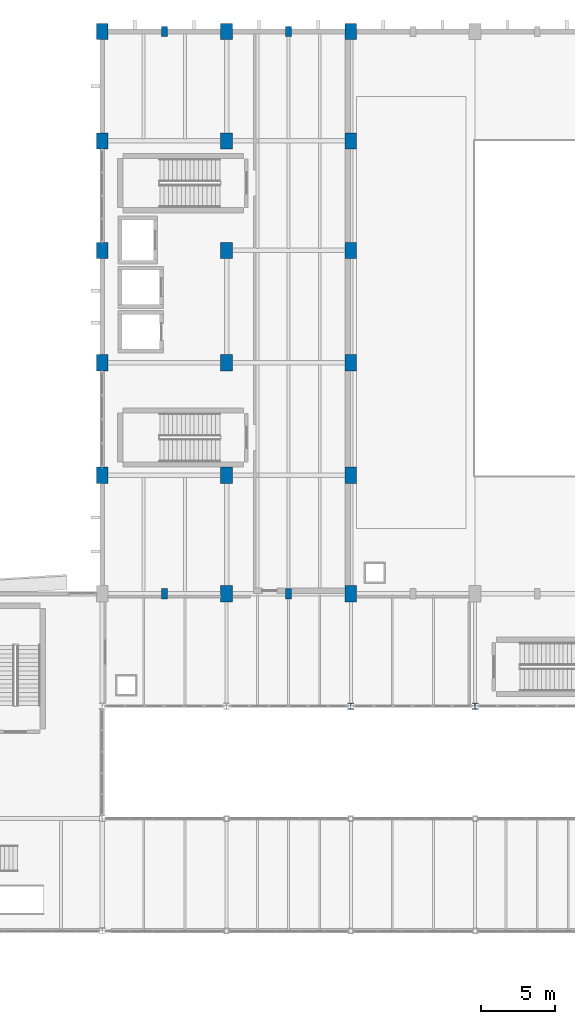
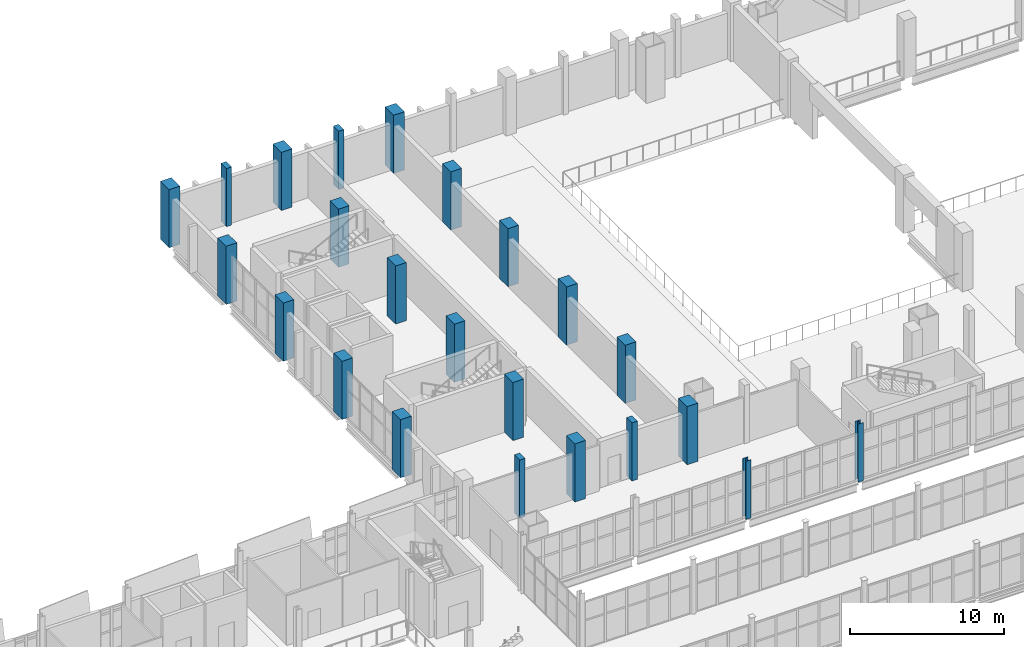
# One storey, part 8 of 172: 23 columns.
"""IFC4 building model written with IfcOpenShell, lengths in metres."""

from ifc_helpers import new_model, si_unit, direction, frame, origin, origin_2d, place, context, subcontext, project, spatial, rectangle, i_section, extrude, material, material_profile, profile_set, type_object, element, save


model = new_model("IFC4")

# Units and contexts
model_context = context("Model", 3, precision=1e-05, world=origin(), true_north=direction((0.0, 1.0)))
body_context = subcontext(model_context, "Body", "Model", "MODEL_VIEW")
ifc_project = project(units=[si_unit("LENGTHUNIT", "METRE"), si_unit("AREAUNIT", "SQUARE_METRE"), si_unit("VOLUMEUNIT", "CUBIC_METRE"), si_unit("PLANEANGLEUNIT", "RADIAN"), si_unit("MASSUNIT", "GRAM", prefix="KILO")], contexts=[model_context])

# Site, building, storey
site_placement = place(None, origin())
site = spatial("IfcSite", under=ifc_project, at=site_placement, CompositionType="ELEMENT")
building_placement = place(site_placement, origin())
building = spatial("IfcBuilding", under=site, at=building_placement, Name="Shengluoqiao Park Theatre", CompositionType="ELEMENT")
storey_placement = place(building_placement, frame((0.0, 0.0, 5.39990234375)))
storey = spatial("IfcBuildingStorey", under=building, at=storey_placement, Name="L01", CompositionType="ELEMENT", Elevation=5.39990234375)

# Columns
ifc_material_1 = material(Name="Steel Q355", Category="steel")
ifc_material_profile_1 = material_profile(ifc_material_1, i_section(OverallWidth=0.39990234375, OverallDepth=0.39990234375, WebThickness=0.012939453125, FlangeThickness=0.02099609375, FilletRadius=0.02197265625, at=origin_2d()), Name="HW 400x400x13x21")
ifc_profile_set_1 = profile_set([ifc_material_profile_1], Name="Steel Q355")
column_type_1 = type_object("IfcColumnType", Name="STR-COL-C-HW400", PredefinedType="COLUMN", material=ifc_profile_set_1)
for number, where, z_axis, x_axis, name in (
    (1, (61.199951171875, 68.39990234375, 0.0), (0.0, 0.0, 1.0), (1.0, 0.0, 0.0), "L01 Column 0308"),
    (2, (69.60009765625, 68.39990234375, 0.0), (0.0, 0.0, 1.0), (1.0, 0.0, 0.0), "L01 Column 0356"),
):
    element("IfcColumn", number, at=place(storey_placement, frame(where, z_axis=z_axis, x_axis=x_axis)), inside=storey, type_object=column_type_1, Name=name, PredefinedType="COLUMN", context=body_context, shape_type="SweptSolid", body=[
        extrude(i_section(OverallWidth=0.39990234375, OverallDepth=0.39990234375, WebThickness=0.012939453125, FlangeThickness=0.02099609375, FilletRadius=0.02197265625, at=origin_2d()), origin(), (0.0, 0.0, 1.0), 4.60009765625),
    ])
ifc_material_2 = material(Name="Concrete C50", Category="concrete")
ifc_material_profile_2 = material_profile(ifc_material_2, rectangle(XDim=0.39990234375, YDim=0.699951171875, at=origin_2d()), Name="RC PILASTER 400x700")
ifc_profile_set_2 = profile_set([ifc_material_profile_2], Name="Concrete C50")
column_type_2 = type_object("IfcColumnType", Name="STR-COL-C-PIL4070", PredefinedType="PILASTER", material=ifc_profile_set_2)
for number, where, z_axis, x_axis, name in (
    (3, (48.60009765625, 76.0, 0.0), (0.0, 0.0, 1.0), (1.0, 0.0, 0.0), "L01 Column 0247"),
    (4, (48.60009765625, 114.0, 0.0), (0.0, 0.0, 1.0), (1.0, 0.0, 0.0), "L01 Column 0252"),
    (5, (57.0, 76.0, 0.0), (0.0, 0.0, 1.0), (1.0, 0.0, 0.0), "L01 Column 0295"),
    (6, (57.0, 114.0, 0.0), (0.0, 0.0, 1.0), (1.0, 0.0, 0.0), "L01 Column 0300"),
):
    element("IfcColumn", number, at=place(storey_placement, frame(where, z_axis=z_axis, x_axis=x_axis)), inside=storey, type_object=column_type_2, Name=name, PredefinedType="PILASTER", context=body_context, shape_type="SweptSolid", body=[
        extrude(rectangle(XDim=0.39990234375, YDim=0.699951171875, at=origin_2d()), origin(), (0.0, 0.0, 1.0), 4.60009765625),
    ])
ifc_material_profile_3 = material_profile(ifc_material_2, rectangle(XDim=0.800048828125, YDim=1.10009765625, at=origin_2d()), Name="RC 800x1100")
ifc_profile_set_3 = profile_set([ifc_material_profile_3], Name="Concrete C50")
column_type_3 = type_object("IfcColumnType", Name="STR-COL-C-RC8011", PredefinedType="COLUMN", material=ifc_profile_set_3)
for number, where, z_axis, x_axis, name in (
    (7, (44.39990234375, 84.0, 0.0), (0.0, 0.0, 1.0), (1.0, 0.0, 0.0), "L01 Column 0222"),
    (8, (44.39990234375, 91.60009765625, 0.0), (0.0, 0.0, 1.0), (1.0, 0.0, 0.0), "L01 Column 0227"),
    (9, (44.39990234375, 99.199951171875, 0.0), (0.0, 0.0, 1.0), (1.0, 0.0, 0.0), "L01 Column 0232"),
    (10, (44.39990234375, 106.60009765625, 0.0), (0.0, 0.0, 1.0), (1.0, 0.0, 0.0), "L01 Column 0237"),
    (11, (44.39990234375, 114.0, 0.0), (0.0, 0.0, 1.0), (1.0, 0.0, 0.0), "L01 Column 0242"),
    (12, (52.800048828125, 76.0, 0.0), (0.0, 0.0, 1.0), (1.0, 0.0, 0.0), "L01 Column 0265"),
    (13, (52.800048828125, 84.0, 0.0), (0.0, 0.0, 1.0), (1.0, 0.0, 0.0), "L01 Column 0270"),
    (14, (52.800048828125, 91.60009765625, 0.0), (0.0, 0.0, 1.0), (1.0, 0.0, 0.0), "L01 Column 0275"),
    (15, (52.800048828125, 99.199951171875, 0.0), (0.0, 0.0, 1.0), (1.0, 0.0, 0.0), "L01 Column 0280"),
    (16, (52.800048828125, 106.60009765625, 0.0), (0.0, 0.0, 1.0), (1.0, 0.0, 0.0), "L01 Column 0285"),
    (17, (52.800048828125, 114.0, 0.0), (0.0, 0.0, 1.0), (1.0, 0.0, 0.0), "L01 Column 0290"),
    (18, (61.199951171875, 76.0, 0.0), (0.0, 0.0, 1.0), (1.0, 0.0, 0.0), "L01 Column 0313"),
    (19, (61.199951171875, 84.0, 0.0), (0.0, 0.0, 1.0), (1.0, 0.0, 0.0), "L01 Column 0318"),
    (20, (61.199951171875, 91.60009765625, 0.0), (0.0, 0.0, 1.0), (1.0, 0.0, 0.0), "L01 Column 0323"),
    (21, (61.199951171875, 99.199951171875, 0.0), (0.0, 0.0, 1.0), (1.0, 0.0, 0.0), "L01 Column 0328"),
    (22, (61.199951171875, 106.60009765625, 0.0), (0.0, 0.0, 1.0), (1.0, 0.0, 0.0), "L01 Column 0333"),
    (23, (61.199951171875, 114.0, 0.0), (0.0, 0.0, 1.0), (1.0, 0.0, 0.0), "L01 Column 0338"),
):
    element("IfcColumn", number, at=place(storey_placement, frame(where, z_axis=z_axis, x_axis=x_axis)), inside=storey, type_object=column_type_3, Name=name, PredefinedType="COLUMN", context=body_context, shape_type="SweptSolid", body=[
        extrude(rectangle(XDim=0.800048828125, YDim=1.10009765625, at=origin_2d()), origin(), (0.0, 0.0, 1.0), 4.60009765625),
    ])

save(model, "model.ifc")
